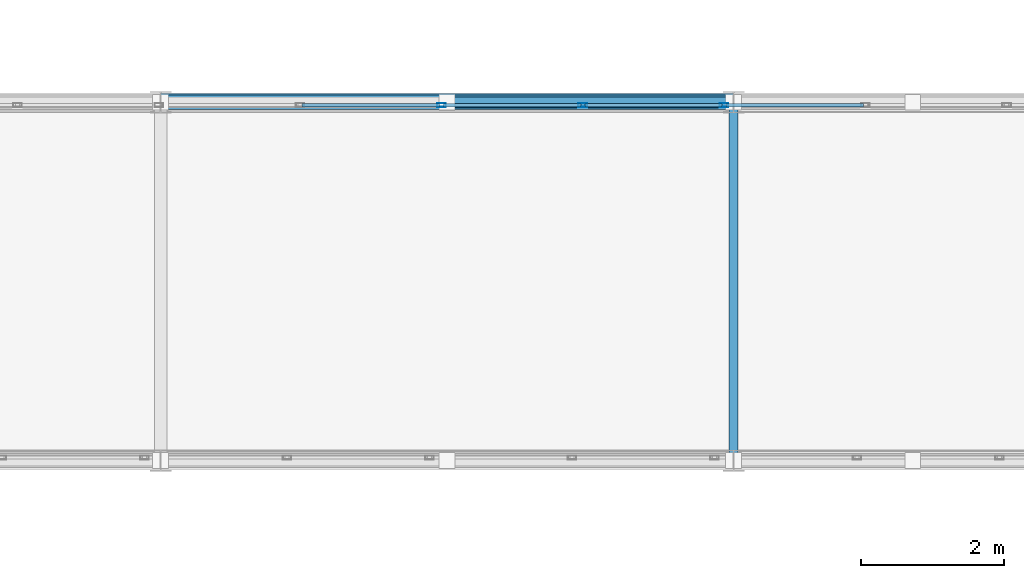
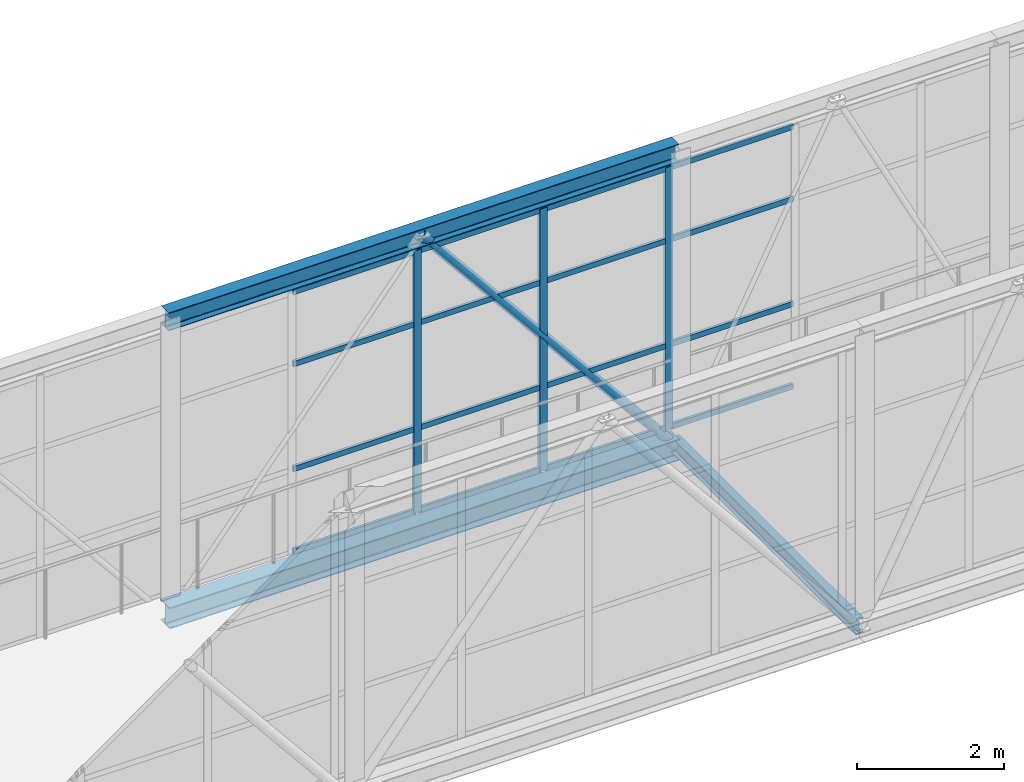
# One storey, part 169 of 248: 23 members, 1 element without a shape of its own.
"""IFC4 building model written with IfcOpenShell, lengths in metres."""

from ifc_helpers import new_model, si_unit, direction, frame, origin, origin_2d, place, context, subcontext, project, spatial, hollow_rectangle, hollow_circle, i_section, extrude, material, layer, layer_set, material_profile, profile_set, type_object, element, aggregate, save


model = new_model("IFC4")

# Units and contexts
model_context = context("Model", 3, precision=1e-05, world=origin(), true_north=direction((0.0, 1.0)))
body_context = subcontext(model_context, "Body", "Model", "MODEL_VIEW")
ifc_project = project(units=[si_unit("LENGTHUNIT", "METRE"), si_unit("AREAUNIT", "SQUARE_METRE"), si_unit("VOLUMEUNIT", "CUBIC_METRE"), si_unit("PLANEANGLEUNIT", "RADIAN"), si_unit("MASSUNIT", "GRAM", prefix="KILO")], contexts=[model_context])

# Site, building, storey
site_placement = place(None, origin())
site = spatial("IfcSite", under=ifc_project, at=site_placement, CompositionType="ELEMENT")
building_placement = place(site_placement, origin())
building = spatial("IfcBuilding", under=site, at=building_placement, Name="Canggui Botanical Conservatory", CompositionType="ELEMENT")
storey_placement = place(building_placement, frame((0.0, 0.0, 5.39990234375)))
storey = spatial("IfcBuildingStorey", under=building, at=storey_placement, Name="L02", CompositionType="ELEMENT", Elevation=5.39990234375)

# Curtain wall, members
ifc_material_1 = material(Name="Thermally Broken Aluminium", Category="aluminium")
ifc_layer = layer(ifc_material_1, 0.1201171875, Name="Thermally Broken Aluminium", Category="aluminium")
ifc_layer_set = layer_set([ifc_layer], Name="Thermally Broken Aluminium")
curtain_wall_type = type_object("IfcCurtainWallType", Name="CW-STICK-B", PredefinedType="USERDEFINED", material=ifc_layer_set)
curtain_wall_placement = place(storey_placement, origin())
curtain_wall = element("IfcCurtainWall", 1, at=curtain_wall_placement, inside=storey, type_object=curtain_wall_type, Name="Facade Curtain Wall CW-SB-04-2", ObjectType="STICK GLAZED WALL", PredefinedType="USERDEFINED")
ifc_material_profile_1 = material_profile(ifc_material_1, hollow_rectangle(XDim=0.054931640625, YDim=0.1201171875, WallThickness=0.0029296875, at=origin_2d()), Name="CWM 55x120x3")
ifc_profile_set_1 = profile_set([ifc_material_profile_1], Name="Thermally Broken Aluminium")
member_type_1 = type_object("IfcMemberType", Name="CWM-05", PredefinedType="MULLION", material=ifc_profile_set_1)
member_1_placement = place(storey_placement, frame((109.421875, 79.9599609375, 0.0), z_axis=(0.0, 0.0, 1.0), x_axis=(0.0, 1.0, 0.0)))
member_1 = element("IfcMember", 2, at=member_1_placement, type_object=member_type_1, Name="CW-05 mullion 23", PredefinedType="MULLION", context=body_context, shape_type="SweptSolid", body=[
    extrude(hollow_rectangle(XDim=0.054931640625, YDim=0.1201171875, WallThickness=0.0029296875, at=origin_2d()), origin(), (0.0, 0.0, 1.0), 4.35009765625),
])
member_2_placement = place(storey_placement, frame((111.394775390625, 79.9599609375, 0.0), z_axis=(0.0, 0.0, 1.0), x_axis=(0.0, 1.0, 0.0)))
member_2 = element("IfcMember", 3, at=member_2_placement, type_object=member_type_1, Name="CW-05 mullion 24", PredefinedType="MULLION", context=body_context, shape_type="SweptSolid", body=[
    extrude(hollow_rectangle(XDim=0.054931640625, YDim=0.1201171875, WallThickness=0.0029296875, at=origin_2d()), origin(), (0.0, 0.0, 1.0), 4.35009765625),
])
member_3_placement = place(storey_placement, frame((113.367431640625, 79.9599609375, 0.0), z_axis=(0.0, 0.0, 1.0), x_axis=(0.0, 1.0, 0.0)))
member_3 = element("IfcMember", 4, at=member_3_placement, type_object=member_type_1, Name="CW-05 mullion 25", PredefinedType="MULLION", context=body_context, shape_type="SweptSolid", body=[
    extrude(hollow_rectangle(XDim=0.054931640625, YDim=0.1201171875, WallThickness=0.0029296875, at=origin_2d()), origin(), (0.0, 0.0, 1.0), 4.35009765625),
])
ifc_material_profile_2 = material_profile(ifc_material_1, hollow_rectangle(XDim=0.044921875, YDim=0.090087890625, WallThickness=0.0029296875, at=origin_2d()), Name="CWT 45x90x3")
ifc_profile_set_2 = profile_set([ifc_material_profile_2], Name="Thermally Broken Aluminium")
member_type_2 = type_object("IfcMemberType", Name="CWT-05", PredefinedType="USERDEFINED", material=ifc_profile_set_2)
member_4_placement = place(storey_placement, frame((107.4765625, 79.9599609375, 0.022705078125), z_axis=(1.0, 0.0, 0.0), x_axis=(0.0, 1.0, 0.0)))
member_4 = element("IfcMember", 5, at=member_4_placement, type_object=member_type_2, Name="CW-05 transom 22.1", ObjectType="TRANSOM", PredefinedType="USERDEFINED", context=body_context, shape_type="SweptSolid", body=[
    extrude(hollow_rectangle(XDim=0.044921875, YDim=0.090087890625, WallThickness=0.0029296875, at=origin_2d()), origin(), (0.0, 0.0, 1.0), 1.917724609375),
])
member_5_placement = place(storey_placement, frame((107.4765625, 79.9599609375, 1.39208984375), z_axis=(1.0, 0.0, 0.0), x_axis=(0.0, 1.0, 0.0)))
member_5 = element("IfcMember", 6, at=member_5_placement, type_object=member_type_2, Name="CW-05 transom 22.2", ObjectType="TRANSOM", PredefinedType="USERDEFINED", context=body_context, shape_type="SweptSolid", body=[
    extrude(hollow_rectangle(XDim=0.044921875, YDim=0.090087890625, WallThickness=0.0029296875, at=origin_2d()), origin(), (0.0, 0.0, 1.0), 1.917724609375),
])
member_6_placement = place(storey_placement, frame((107.4765625, 79.9599609375, 3.132080078125), z_axis=(1.0, 0.0, 0.0), x_axis=(0.0, 1.0, 0.0)))
member_6 = element("IfcMember", 7, at=member_6_placement, type_object=member_type_2, Name="CW-05 transom 22.3", ObjectType="TRANSOM", PredefinedType="USERDEFINED", context=body_context, shape_type="SweptSolid", body=[
    extrude(hollow_rectangle(XDim=0.044921875, YDim=0.090087890625, WallThickness=0.0029296875, at=origin_2d()), origin(), (0.0, 0.0, 1.0), 1.917724609375),
])
member_7_placement = place(storey_placement, frame((107.4765625, 79.9599609375, 4.32763671875), z_axis=(1.0, 0.0, 0.0), x_axis=(0.0, 1.0, 0.0)))
member_7 = element("IfcMember", 8, at=member_7_placement, type_object=member_type_2, Name="CW-05 transom 22.4", ObjectType="TRANSOM", PredefinedType="USERDEFINED", context=body_context, shape_type="SweptSolid", body=[
    extrude(hollow_rectangle(XDim=0.044921875, YDim=0.090087890625, WallThickness=0.0029296875, at=origin_2d()), origin(), (0.0, 0.0, 1.0), 1.917724609375),
])
member_8_placement = place(storey_placement, frame((109.449462890625, 79.9599609375, 0.022705078125), z_axis=(1.0, 0.0, 0.0), x_axis=(0.0, 1.0, 0.0)))
member_8 = element("IfcMember", 9, at=member_8_placement, type_object=member_type_2, Name="CW-05 transom 23.1", ObjectType="TRANSOM", PredefinedType="USERDEFINED", context=body_context, shape_type="SweptSolid", body=[
    extrude(hollow_rectangle(XDim=0.044921875, YDim=0.090087890625, WallThickness=0.0029296875, at=origin_2d()), origin(), (0.0, 0.0, 1.0), 1.917724609375),
])
member_9_placement = place(storey_placement, frame((109.449462890625, 79.9599609375, 1.39208984375), z_axis=(1.0, 0.0, 0.0), x_axis=(0.0, 1.0, 0.0)))
member_9 = element("IfcMember", 10, at=member_9_placement, type_object=member_type_2, Name="CW-05 transom 23.2", ObjectType="TRANSOM", PredefinedType="USERDEFINED", context=body_context, shape_type="SweptSolid", body=[
    extrude(hollow_rectangle(XDim=0.044921875, YDim=0.090087890625, WallThickness=0.0029296875, at=origin_2d()), origin(), (0.0, 0.0, 1.0), 1.917724609375),
])
member_10_placement = place(storey_placement, frame((109.449462890625, 79.9599609375, 3.132080078125), z_axis=(1.0, 0.0, 0.0), x_axis=(0.0, 1.0, 0.0)))
member_10 = element("IfcMember", 11, at=member_10_placement, type_object=member_type_2, Name="CW-05 transom 23.3", ObjectType="TRANSOM", PredefinedType="USERDEFINED", context=body_context, shape_type="SweptSolid", body=[
    extrude(hollow_rectangle(XDim=0.044921875, YDim=0.090087890625, WallThickness=0.0029296875, at=origin_2d()), origin(), (0.0, 0.0, 1.0), 1.917724609375),
])
member_11_placement = place(storey_placement, frame((109.449462890625, 79.9599609375, 4.32763671875), z_axis=(1.0, 0.0, 0.0), x_axis=(0.0, 1.0, 0.0)))
member_11 = element("IfcMember", 12, at=member_11_placement, type_object=member_type_2, Name="CW-05 transom 23.4", ObjectType="TRANSOM", PredefinedType="USERDEFINED", context=body_context, shape_type="SweptSolid", body=[
    extrude(hollow_rectangle(XDim=0.044921875, YDim=0.090087890625, WallThickness=0.0029296875, at=origin_2d()), origin(), (0.0, 0.0, 1.0), 1.917724609375),
])
member_12_placement = place(storey_placement, frame((111.422119140625, 79.9599609375, 0.022705078125), z_axis=(1.0, 0.0, 0.0), x_axis=(0.0, 1.0, 0.0)))
member_12 = element("IfcMember", 13, at=member_12_placement, type_object=member_type_2, Name="CW-05 transom 24.1", ObjectType="TRANSOM", PredefinedType="USERDEFINED", context=body_context, shape_type="SweptSolid", body=[
    extrude(hollow_rectangle(XDim=0.044921875, YDim=0.090087890625, WallThickness=0.0029296875, at=origin_2d()), origin(), (0.0, 0.0, 1.0), 1.91796875),
])
member_13_placement = place(storey_placement, frame((111.422119140625, 79.9599609375, 1.39208984375), z_axis=(1.0, 0.0, 0.0), x_axis=(0.0, 1.0, 0.0)))
member_13 = element("IfcMember", 14, at=member_13_placement, type_object=member_type_2, Name="CW-05 transom 24.2", ObjectType="TRANSOM", PredefinedType="USERDEFINED", context=body_context, shape_type="SweptSolid", body=[
    extrude(hollow_rectangle(XDim=0.044921875, YDim=0.090087890625, WallThickness=0.0029296875, at=origin_2d()), origin(), (0.0, 0.0, 1.0), 1.91796875),
])
member_14_placement = place(storey_placement, frame((111.422119140625, 79.9599609375, 3.132080078125), z_axis=(1.0, 0.0, 0.0), x_axis=(0.0, 1.0, 0.0)))
member_14 = element("IfcMember", 15, at=member_14_placement, type_object=member_type_2, Name="CW-05 transom 24.3", ObjectType="TRANSOM", PredefinedType="USERDEFINED", context=body_context, shape_type="SweptSolid", body=[
    extrude(hollow_rectangle(XDim=0.044921875, YDim=0.090087890625, WallThickness=0.0029296875, at=origin_2d()), origin(), (0.0, 0.0, 1.0), 1.91796875),
])
member_15_placement = place(storey_placement, frame((111.422119140625, 79.9599609375, 4.32763671875), z_axis=(1.0, 0.0, 0.0), x_axis=(0.0, 1.0, 0.0)))
member_15 = element("IfcMember", 16, at=member_15_placement, type_object=member_type_2, Name="CW-05 transom 24.4", ObjectType="TRANSOM", PredefinedType="USERDEFINED", context=body_context, shape_type="SweptSolid", body=[
    extrude(hollow_rectangle(XDim=0.044921875, YDim=0.090087890625, WallThickness=0.0029296875, at=origin_2d()), origin(), (0.0, 0.0, 1.0), 1.91796875),
])
member_16_placement = place(storey_placement, frame((113.39501953125, 79.9599609375, 0.022705078125), z_axis=(1.0, 0.0, 0.0), x_axis=(0.0, 1.0, 0.0)))
member_16 = element("IfcMember", 17, at=member_16_placement, type_object=member_type_2, Name="CW-05 transom 25.1", ObjectType="TRANSOM", PredefinedType="USERDEFINED", context=body_context, shape_type="SweptSolid", body=[
    extrude(hollow_rectangle(XDim=0.044921875, YDim=0.090087890625, WallThickness=0.0029296875, at=origin_2d()), origin(), (0.0, 0.0, 1.0), 1.917724609375),
])
member_17_placement = place(storey_placement, frame((113.39501953125, 79.9599609375, 1.39208984375), z_axis=(1.0, 0.0, 0.0), x_axis=(0.0, 1.0, 0.0)))
member_17 = element("IfcMember", 18, at=member_17_placement, type_object=member_type_2, Name="CW-05 transom 25.2", ObjectType="TRANSOM", PredefinedType="USERDEFINED", context=body_context, shape_type="SweptSolid", body=[
    extrude(hollow_rectangle(XDim=0.044921875, YDim=0.090087890625, WallThickness=0.0029296875, at=origin_2d()), origin(), (0.0, 0.0, 1.0), 1.917724609375),
])
member_18_placement = place(storey_placement, frame((113.39501953125, 79.9599609375, 3.132080078125), z_axis=(1.0, 0.0, 0.0), x_axis=(0.0, 1.0, 0.0)))
member_18 = element("IfcMember", 19, at=member_18_placement, type_object=member_type_2, Name="CW-05 transom 25.3", ObjectType="TRANSOM", PredefinedType="USERDEFINED", context=body_context, shape_type="SweptSolid", body=[
    extrude(hollow_rectangle(XDim=0.044921875, YDim=0.090087890625, WallThickness=0.0029296875, at=origin_2d()), origin(), (0.0, 0.0, 1.0), 1.917724609375),
])
member_19_placement = place(storey_placement, frame((113.39501953125, 79.9599609375, 4.32763671875), z_axis=(1.0, 0.0, 0.0), x_axis=(0.0, 1.0, 0.0)))
member_19 = element("IfcMember", 20, at=member_19_placement, type_object=member_type_2, Name="CW-05 transom 25.4", ObjectType="TRANSOM", PredefinedType="USERDEFINED", context=body_context, shape_type="SweptSolid", body=[
    extrude(hollow_rectangle(XDim=0.044921875, YDim=0.090087890625, WallThickness=0.0029296875, at=origin_2d()), origin(), (0.0, 0.0, 1.0), 1.917724609375),
])
aggregate(curtain_wall, [member_1, member_2, member_3, member_4, member_5, member_6, member_7, member_8, member_9, member_10, member_11, member_12, member_13, member_14, member_15, member_16, member_17, member_18, member_19])

# Members
ifc_material_2 = material(Name="Steel Q355C", Category="steel")
ifc_material_profile_3 = material_profile(ifc_material_2, hollow_circle(Radius=0.075927734375, WallThickness=0.006103515625, at=origin_2d()), Name="CHS 152x6")
ifc_profile_set_3 = profile_set([ifc_material_profile_3], Name="Steel Q355C")
member_type_3 = type_object("IfcMemberType", Name="MEM-GSD04", PredefinedType="RAFTER", material=ifc_profile_set_3)
member_20_placement = place(storey_placement, frame((109.5, 80.0, 4.550048828125), z_axis=(0.632384053133, 0.0, -0.774655026024), x_axis=(0.0, 1.0, 0.0)))
element("IfcMember", 21, at=member_20_placement, inside=storey, type_object=member_type_3, Name="SB-04 Truss Web Rafter 2.7B", PredefinedType="RAFTER", context=body_context, shape_type="SweptSolid", body=[
    extrude(hollow_circle(Radius=0.075927734375, WallThickness=0.006103515625, at=origin_2d()), origin(), (0.0, 0.0, 1.0), 6.3251953125),
])
ifc_material_3 = material(Name="Steel Q355B", Category="steel")
ifc_material_profile_4 = material_profile(ifc_material_3, i_section(OverallWidth=0.125, OverallDepth=0.25, WebThickness=0.006103515625, FlangeThickness=0.009033203125, FilletRadius=0.011962890625, at=origin_2d()), Name="HN 250x125x6x9")
ifc_profile_set_4 = profile_set([ifc_material_profile_4], Name="Steel Q355B")
member_type_4 = type_object("IfcMemberType", Name="MEM-STR01", PredefinedType="STRINGER", material=ifc_profile_set_4)
member_21_placement = place(storey_placement, frame((113.5, 75.0, -0.31982421875), z_axis=(0.0, 1.0, 0.0), x_axis=(-1.0, 0.0, 0.0)))
element("IfcMember", 22, at=member_21_placement, inside=storey, type_object=member_type_4, Name="SB-04 Deck Transverse Stringer 6", PredefinedType="STRINGER", context=body_context, shape_type="SweptSolid", body=[
    extrude(i_section(OverallWidth=0.125, OverallDepth=0.25, WebThickness=0.006103515625, FlangeThickness=0.009033203125, FilletRadius=0.011962890625, at=origin_2d()), origin(), (0.0, 0.0, 1.0), 5.0),
])
ifc_material_profile_5 = material_profile(ifc_material_3, i_section(OverallWidth=0.25, OverallDepth=0.35009765625, WebThickness=0.009033203125, FlangeThickness=0.013916015625, FilletRadius=0.02001953125, at=origin_2d()), Name="HM 350x250x9x14")
ifc_profile_set_5 = profile_set([ifc_material_profile_5], Name="Steel Q355B")
member_type_5 = type_object("IfcMemberType", Name="MEM-TC03", PredefinedType="CHORD", material=ifc_profile_set_5)
member_22_placement = place(storey_placement, frame((105.5, 80.0, -0.349853515625), z_axis=(1.0, 0.0, 0.0), x_axis=(0.0, 1.0, 0.0)))
element("IfcMember", 23, at=member_22_placement, inside=storey, type_object=member_type_5, Name="SB-04 Deck Truss Bottom Chord 2.7", PredefinedType="CHORD", context=body_context, shape_type="SweptSolid", body=[
    extrude(i_section(OverallWidth=0.25, OverallDepth=0.35009765625, WebThickness=0.009033203125, FlangeThickness=0.013916015625, FilletRadius=0.02001953125, at=origin_2d()), origin(), (0.0, 0.0, 1.0), 8.0),
])
ifc_material_profile_6 = material_profile(ifc_material_3, i_section(OverallWidth=0.199951171875, OverallDepth=0.300048828125, WebThickness=0.008056640625, FlangeThickness=0.011962890625, FilletRadius=0.01806640625, at=origin_2d()), Name="HM 300x200x8x12")
ifc_profile_set_6 = profile_set([ifc_material_profile_6], Name="Steel Q355B")
member_type_6 = type_object("IfcMemberType", Name="MEM-TC04", PredefinedType="CHORD", material=ifc_profile_set_6)
member_23_placement = place(storey_placement, frame((105.5, 80.0, 4.550048828125), z_axis=(1.0, 0.0, 0.0), x_axis=(0.0, 1.0, 0.0)))
element("IfcMember", 24, at=member_23_placement, inside=storey, type_object=member_type_6, Name="SB-04 Roof Truss Top Chord 2.7", PredefinedType="CHORD", context=body_context, shape_type="SweptSolid", body=[
    extrude(i_section(OverallWidth=0.199951171875, OverallDepth=0.300048828125, WebThickness=0.008056640625, FlangeThickness=0.011962890625, FilletRadius=0.01806640625, at=origin_2d()), origin(), (0.0, 0.0, 1.0), 8.0),
])

save(model, "model.ifc")
